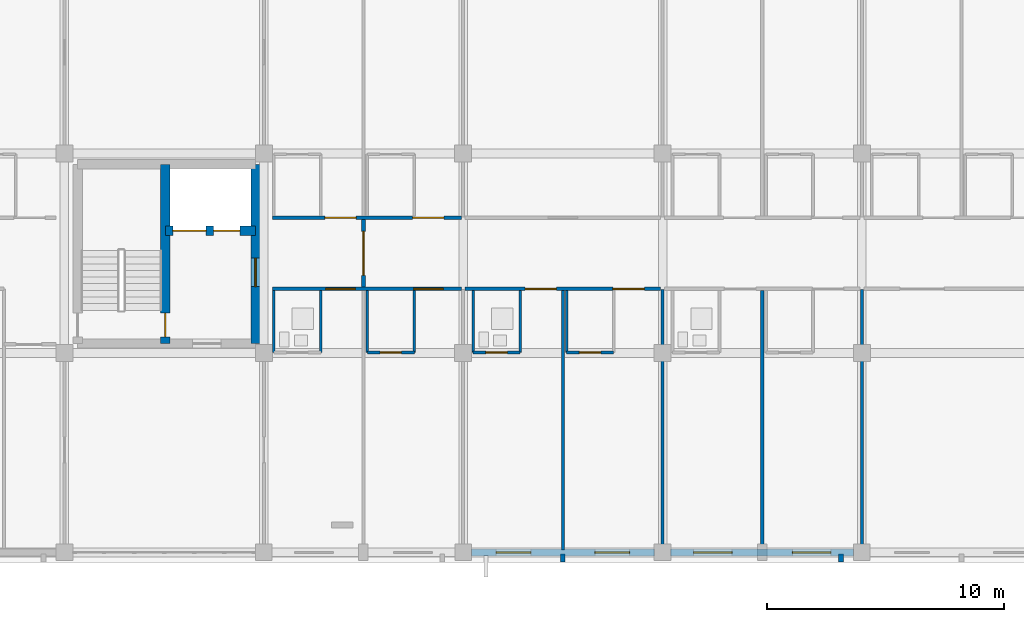
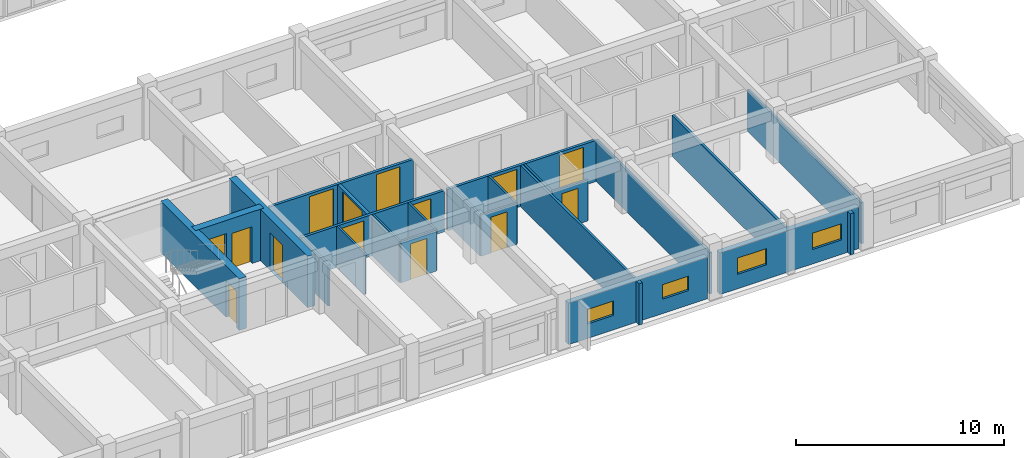
# One storey, part 117 of 148: 25 walls, 14 doors, 4 windows, 18 openings.
"""IFC4 building model written with IfcOpenShell, lengths in metres."""

from ifc_helpers import new_model, si_unit, direction, frame, frame_2d, origin, place, context, subcontext, project, spatial, rectangle, extrude, material, layer, layer_set, type_object, element, fill, save


model = new_model("IFC4")

# Units and contexts
model_context = context("Model", 3, precision=1e-05, world=origin(), true_north=direction((0.0, 1.0)))
body_context = subcontext(model_context, "Body", "Model", "MODEL_VIEW")
ifc_project = project(units=[si_unit("LENGTHUNIT", "METRE"), si_unit("AREAUNIT", "SQUARE_METRE"), si_unit("VOLUMEUNIT", "CUBIC_METRE"), si_unit("PLANEANGLEUNIT", "RADIAN"), si_unit("MASSUNIT", "GRAM", prefix="KILO")], contexts=[model_context])

# Site, building, storey
site_placement = place(None, origin())
site = spatial("IfcSite", under=ifc_project, at=site_placement, CompositionType="ELEMENT")
building_placement = place(site_placement, origin())
building = spatial("IfcBuilding", under=site, at=building_placement, Name="Trelvath General Hospital", CompositionType="ELEMENT")
storey_placement = place(building_placement, frame((0.0, 0.0, 12.89990234375)))
storey = spatial("IfcBuildingStorey", under=building, at=storey_placement, Name="L03", CompositionType="ELEMENT", Elevation=12.89990234375)

# Walls
ifc_material_1 = material(Name="Precast concrete C40/50", Category="concrete")
ifc_layer_1 = layer(ifc_material_1, 0.199951171875)
ifc_layer_set_1 = layer_set([ifc_layer_1], Name="Precast concrete C40/50")
wall_type_1 = type_object("IfcWallType", Name="BriseSoleilRib 200", PredefinedType="ELEMENTEDWALL", material=ifc_layer_set_1)
for number, where, z_axis, x_axis, name in (
    (1, (113.39990234375, -0.074951171875, 0.0), (0.0, 0.0, 1.0), (0.0, -1.0, 0.0), "Precast Concrete Brise-Soleil Rib Fin L03-284"),
    (2, (125.115234375, -0.074951171875, 0.0), (0.0, 0.0, 1.0), (0.0, -1.0, 0.0), "Precast Concrete Brise-Soleil Rib Fin L03-288"),
):
    element("IfcWall", number, at=place(storey_placement, frame(where, z_axis=z_axis, x_axis=x_axis)), inside=storey, type_object=wall_type_1, Name=name, PredefinedType="ELEMENTEDWALL", context=body_context, shape_type="SweptSolid", body=[
        extrude(rectangle(XDim=0.340087890625, YDim=0.199951171875, at=frame_2d((0.169921875, 0.0))), origin(), (0.0, 0.0, 1.0), 2.420166015625),
    ])

# Wall, openings, doors
ifc_material_2 = material(Name="Gypsum acoustic steel-stud partition", Category="steel")
ifc_layer_2 = layer(ifc_material_2, 0.14990234375)
ifc_layer_set_2 = layer_set([ifc_layer_2], Name="Gypsum acoustic steel-stud partition")
wall_type_2 = type_object("IfcWallType", Name="ClinicalPartition 150", PredefinedType="PARTITIONING", material=ifc_layer_set_2)
wall_1_placement = place(storey_placement, frame((101.159912109375, 11.10009765625, 0.0), z_axis=(0.0, 0.0, 1.0), x_axis=(1.0, 0.0, 0.0)))
wall_1 = element("IfcWall", 3, at=wall_1_placement, inside=storey, type_object=wall_type_2, Name="Corridor Partition L03-1171", PredefinedType="PARTITIONING", context=body_context, shape_type="SweptSolid", body=[
    extrude(rectangle(XDim=7.960205078125, YDim=0.14990234375, at=frame_2d((3.97998046875, 0.0))), origin(), (0.0, 0.0, 1.0), 2.420166015625),
])
opening_1_placement = place(wall_1_placement, frame((2.25, 0.0, 0.0)))
opening_1 = element("IfcOpeningElement", 4, at=opening_1_placement, cuts=wall_1, Name="Opening D-3-0873", PredefinedType="OPENING", context=body_context, shape_type="SweptSolid", body=[
    extrude(rectangle(XDim=1.25, YDim=2.199951171875, at=frame_2d((0.625, 1.10009765625))), frame((0.0, 0.0849609375, 0.0), z_axis=(0.0, -1.0, 0.0), x_axis=(1.0, 0.0, 0.0)), (0.0, 0.0, 1.0), 0.169921875),
])
opening_2_placement = place(wall_1_placement, frame((5.949951171875, 0.0, 0.0)))
opening_2 = element("IfcOpeningElement", 5, at=opening_2_placement, cuts=wall_1, Name="Opening D-3-0874", PredefinedType="OPENING", context=body_context, shape_type="SweptSolid", body=[
    extrude(rectangle(XDim=1.25, YDim=2.199951171875, at=frame_2d((0.625, 1.10009765625))), frame((0.0, 0.0849609375, 0.0), z_axis=(0.0, -1.0, 0.0), x_axis=(1.0, 0.0, 0.0)), (0.0, 0.0, 1.0), 0.169921875),
])
ifc_material_3 = material(Name="Acoustic hospital timber leaf", Category="wood")
door_type_1 = type_object("IfcDoorType", Name="Door Treatment 1250x2200", OperationType="NOTDEFINED", PredefinedType="DOOR", material=ifc_material_3)
door_1_placement = place(opening_1_placement, origin())
door_1 = element("IfcDoor", 6, at=door_1_placement, inside=storey, type_object=door_type_1, Name="Patient Room Door L03-873", OperationType="SINGLE_SWING_RIGHT", OverallHeight=2.199951171875, OverallWidth=1.25, PredefinedType="DOOR", context=body_context, shape_type="SweptSolid", body=[
    extrude(rectangle(XDim=1.25, YDim=2.199951171875, at=frame_2d((0.625, 1.10009765625))), frame((0.0, 0.02490234375, 0.0), z_axis=(0.0, -1.0, 0.0), x_axis=(1.0, 0.0, 0.0)), (0.0, 0.0, 1.0), 0.050048828125),
])
fill(opening_1, door_1)
door_2_placement = place(opening_2_placement, origin())
door_2 = element("IfcDoor", 7, at=door_2_placement, inside=storey, type_object=door_type_1, Name="Patient Room Door L03-874", OperationType="SINGLE_SWING_LEFT", OverallHeight=2.199951171875, OverallWidth=1.25, PredefinedType="DOOR", context=body_context, shape_type="SweptSolid", body=[
    extrude(rectangle(XDim=1.25, YDim=2.199951171875, at=frame_2d((0.625, 1.10009765625))), frame((0.0, 0.02490234375, 0.0), z_axis=(0.0, -1.0, 0.0), x_axis=(1.0, 0.0, 0.0)), (0.0, 0.0, 1.0), 0.050048828125),
])
fill(opening_2, door_2)

wall_2_placement = place(storey_placement, frame((109.1201171875, 14.10009765625, 0.0), z_axis=(0.0, 0.0, 1.0), x_axis=(-1.0, 0.0, 0.0)))
wall_2 = element("IfcWall", 8, at=wall_2_placement, inside=storey, type_object=wall_type_2, Name="Corridor Partition N L03-1180", PredefinedType="PARTITIONING", context=body_context, shape_type="SweptSolid", body=[
    extrude(rectangle(XDim=7.960205078125, YDim=0.14990234375, at=frame_2d((3.97998046875, 0.0))), origin(), (0.0, 0.0, 1.0), 2.420166015625),
])
opening_3_placement = place(wall_2_placement, frame((0.72998046875, 0.0, 0.0)))
opening_3 = element("IfcOpeningElement", 9, at=opening_3_placement, cuts=wall_2, Name="Opening D-3-0877", PredefinedType="OPENING", context=body_context, shape_type="SweptSolid", body=[
    extrude(rectangle(XDim=1.320068359375, YDim=2.25, at=frame_2d((0.66015625, 1.125))), frame((0.0, 0.0849609375, 0.0), z_axis=(0.0, -1.0, 0.0), x_axis=(1.0, 0.0, 0.0)), (0.0, 0.0, 1.0), 0.169921875),
])
opening_4_placement = place(wall_2_placement, frame((4.429931640625, 0.0, 0.0)))
opening_4 = element("IfcOpeningElement", 10, at=opening_4_placement, cuts=wall_2, Name="Opening D-3-0878", PredefinedType="OPENING", context=body_context, shape_type="SweptSolid", body=[
    extrude(rectangle(XDim=1.320068359375, YDim=2.25, at=frame_2d((0.66015625, 1.125))), frame((0.0, 0.0849609375, 0.0), z_axis=(0.0, -1.0, 0.0), x_axis=(1.0, 0.0, 0.0)), (0.0, 0.0, 1.0), 0.169921875),
])
ifc_material_4 = material(Name="Maternity bed-leaf timber door", Category="wood")
door_type_2 = type_object("IfcDoorType", Name="Door PatientMaternity 1320x2250", OperationType="NOTDEFINED", PredefinedType="DOOR", material=ifc_material_4)
door_3_placement = place(opening_3_placement, origin())
door_3 = element("IfcDoor", 11, at=door_3_placement, inside=storey, type_object=door_type_2, Name="Patient Room Door N L03-877", OperationType="SINGLE_SWING_RIGHT", OverallHeight=2.25, OverallWidth=1.320068359375, PredefinedType="DOOR", context=body_context, shape_type="SweptSolid", body=[
    extrude(rectangle(XDim=1.320068359375, YDim=2.25, at=frame_2d((0.66015625, 1.125))), frame((0.0, 0.02490234375, 0.0), z_axis=(0.0, -1.0, 0.0), x_axis=(1.0, 0.0, 0.0)), (0.0, 0.0, 1.0), 0.050048828125),
])
fill(opening_3, door_3)
door_4_placement = place(opening_4_placement, origin())
door_4 = element("IfcDoor", 12, at=door_4_placement, inside=storey, type_object=door_type_2, Name="Patient Room Door N L03-878", OperationType="SINGLE_SWING_RIGHT", OverallHeight=2.25, OverallWidth=1.320068359375, PredefinedType="DOOR", context=body_context, shape_type="SweptSolid", body=[
    extrude(rectangle(XDim=1.320068359375, YDim=2.25, at=frame_2d((0.66015625, 1.125))), frame((0.0, 0.02490234375, 0.0), z_axis=(0.0, -1.0, 0.0), x_axis=(1.0, 0.0, 0.0)), (0.0, 0.0, 1.0), 0.050048828125),
])
fill(opening_4, door_4)

wall_3_placement = place(storey_placement, frame((109.280029296875, 11.10009765625, 0.0), z_axis=(0.0, 0.0, 1.0), x_axis=(1.0, 0.0, 0.0)))
wall_3 = element("IfcWall", 13, at=wall_3_placement, inside=storey, type_object=wall_type_2, Name="Corridor Partition L03-1191", PredefinedType="PARTITIONING", context=body_context, shape_type="SweptSolid", body=[
    extrude(rectangle(XDim=8.239990234375, YDim=0.14990234375, at=frame_2d((4.1201171875, 0.0))), origin(), (0.0, 0.0, 1.0), 2.420166015625),
])
opening_5_placement = place(wall_3_placement, frame((2.530029296875, 0.0, 0.0)))
opening_5 = element("IfcOpeningElement", 14, at=opening_5_placement, cuts=wall_3, Name="Opening D-3-0882", PredefinedType="OPENING", context=body_context, shape_type="SweptSolid", body=[
    extrude(rectangle(XDim=1.320068359375, YDim=2.25, at=frame_2d((0.66015625, 1.125))), frame((0.0, 0.0849609375, 0.0), z_axis=(0.0, -1.0, 0.0), x_axis=(1.0, 0.0, 0.0)), (0.0, 0.0, 1.0), 0.169921875),
])
opening_6_placement = place(wall_3_placement, frame((6.22998046875, 0.0, 0.0)))
opening_6 = element("IfcOpeningElement", 15, at=opening_6_placement, cuts=wall_3, Name="Opening D-3-0883", PredefinedType="OPENING", context=body_context, shape_type="SweptSolid", body=[
    extrude(rectangle(XDim=1.320068359375, YDim=2.25, at=frame_2d((0.66015625, 1.125))), frame((0.0, 0.0849609375, 0.0), z_axis=(0.0, -1.0, 0.0), x_axis=(1.0, 0.0, 0.0)), (0.0, 0.0, 1.0), 0.169921875),
])
door_5_placement = place(opening_5_placement, origin())
door_5 = element("IfcDoor", 16, at=door_5_placement, inside=storey, type_object=door_type_2, Name="Patient Room Door L03-882", OperationType="SINGLE_SWING_LEFT", OverallHeight=2.25, OverallWidth=1.320068359375, PredefinedType="DOOR", context=body_context, shape_type="SweptSolid", body=[
    extrude(rectangle(XDim=1.320068359375, YDim=2.25, at=frame_2d((0.66015625, 1.125))), frame((0.0, 0.02490234375, 0.0), z_axis=(0.0, -1.0, 0.0), x_axis=(1.0, 0.0, 0.0)), (0.0, 0.0, 1.0), 0.050048828125),
])
fill(opening_5, door_5)
door_6_placement = place(opening_6_placement, origin())
door_6 = element("IfcDoor", 17, at=door_6_placement, inside=storey, type_object=door_type_2, Name="Patient Room Door L03-883", OperationType="SINGLE_SWING_RIGHT", OverallHeight=2.25, OverallWidth=1.320068359375, PredefinedType="DOOR", context=body_context, shape_type="SweptSolid", body=[
    extrude(rectangle(XDim=1.320068359375, YDim=2.25, at=frame_2d((0.66015625, 1.125))), frame((0.0, 0.02490234375, 0.0), z_axis=(0.0, -1.0, 0.0), x_axis=(1.0, 0.0, 0.0)), (0.0, 0.0, 1.0), 0.050048828125),
])
fill(opening_6, door_6)

# Wall, opening, door
ifc_material_5 = material(Name="Concrete C40/50", Category="concrete")
ifc_layer_3 = layer(ifc_material_5, 0.39990234375)
ifc_layer_set_3 = layer_set([ifc_layer_3], Name="Concrete C40/50")
wall_type_3 = type_object("IfcWallType", Name="CoreShearWall 400", PredefinedType="SHEAR", material=ifc_layer_set_3)
wall_4_placement = place(storey_placement, frame((100.449951171875, 8.800048828125, 0.0), z_axis=(0.0, 0.0, 1.0), x_axis=(0.0, 1.0, 0.0)))
wall_4 = element("IfcWall", 18, at=wall_4_placement, inside=storey, type_object=wall_type_3, Name="Core Shear Wall C5 E L03", PredefinedType="SHEAR", context=body_context, shape_type="SweptSolid", body=[
    extrude(rectangle(XDim=7.550048828125, YDim=0.39990234375, at=frame_2d((3.77490234375, 0.0))), origin(), (0.0, 0.0, 1.0), 3.02001953125),
])
opening_7_placement = place(wall_4_placement, frame((2.39990234375, 0.0, 0.0)))
opening_7 = element("IfcOpeningElement", 19, at=opening_7_placement, cuts=wall_4, Name="Opening FD-LE53", PredefinedType="OPENING", context=body_context, shape_type="SweptSolid", body=[
    extrude(rectangle(XDim=1.199951171875, YDim=2.199951171875, at=frame_2d((0.60009765625, 1.10009765625))), frame((0.0, 0.2099609375, 0.0), z_axis=(0.0, -1.0, 0.0), x_axis=(1.0, 0.0, 0.0)), (0.0, 0.0, 1.0), 0.419921875),
])
ifc_material_6 = material(Name="Fire-rated steel door", Category="steel")
door_type_3 = type_object("IfcDoorType", Name="Door FireLobby 1200x2200", OperationType="NOTDEFINED", PredefinedType="DOOR", material=ifc_material_6)
door_7_placement = place(opening_7_placement, origin())
door_7 = element("IfcDoor", 20, at=door_7_placement, inside=storey, type_object=door_type_3, Name="Fire Lobby East Corridor Door C5 L03", OperationType="SINGLE_SWING_RIGHT", OverallHeight=2.199951171875, OverallWidth=1.199951171875, PredefinedType="DOOR", context=body_context, shape_type="SweptSolid", body=[
    extrude(rectangle(XDim=1.199951171875, YDim=2.199951171875, at=frame_2d((0.60009765625, 1.10009765625))), frame((0.0, 0.02490234375, 0.0), z_axis=(0.0, -1.0, 0.0), x_axis=(1.0, 0.0, 0.0)), (0.0, 0.0, 1.0), 0.050048828125),
])
fill(opening_7, door_7)

wall_5_placement = place(storey_placement, frame((96.64990234375, 8.800048828125, 0.0), z_axis=(0.0, 0.0, 1.0), x_axis=(0.0, 1.0, 0.0)))
wall_5 = element("IfcWall", 21, at=wall_5_placement, inside=storey, type_object=wall_type_3, Name="Core Shear Wall C5 SPINE L03", PredefinedType="SHEAR", context=body_context, shape_type="SweptSolid", body=[
    extrude(rectangle(XDim=7.550048828125, YDim=0.39990234375, at=frame_2d((3.77490234375, 0.0))), origin(), (0.0, 0.0, 1.0), 3.02001953125),
])
opening_8_placement = place(wall_5_placement, frame((0.280029296875, 0.0, 0.0)))
opening_8 = element("IfcOpeningElement", 22, at=opening_8_placement, cuts=wall_5, Name="Opening FD-S53", PredefinedType="OPENING", context=body_context, shape_type="SweptSolid", body=[
    extrude(rectangle(XDim=1.0, YDim=2.14990234375, at=frame_2d((0.5, 1.074951171875))), frame((0.0, 0.2099609375, 0.0), z_axis=(0.0, -1.0, 0.0), x_axis=(1.0, 0.0, 0.0)), (0.0, 0.0, 1.0), 0.419921875),
])
ifc_material_7 = material(Name="Fire-rated steel door", Category="steel")
door_type_4 = type_object("IfcDoorType", Name="Door FireStair 1100x2150", OperationType="NOTDEFINED", PredefinedType="DOOR", material=ifc_material_7)
door_8_placement = place(opening_8_placement, origin())
door_8 = element("IfcDoor", 23, at=door_8_placement, inside=storey, type_object=door_type_4, Name="Exit Stair Door ST5 L03", OperationType="SINGLE_SWING_LEFT", OverallHeight=2.14990234375, OverallWidth=1.0, PredefinedType="DOOR", context=body_context, shape_type="SweptSolid", body=[
    extrude(rectangle(XDim=1.0, YDim=2.14990234375, at=frame_2d((0.5, 1.074951171875))), frame((0.0, 0.02490234375, 0.0), z_axis=(0.0, -1.0, 0.0), x_axis=(1.0, 0.0, 0.0)), (0.0, 0.0, 1.0), 0.050048828125),
])
fill(opening_8, door_8)

# Wall, openings, doors
wall_6_placement = place(storey_placement, frame((96.64990234375, 13.550048828125, 0.0), z_axis=(0.0, 0.0, 1.0), x_axis=(1.0, 0.0, 0.0)))
wall_6 = element("IfcWall", 24, at=wall_6_placement, inside=storey, type_object=wall_type_3, Name="Core Shear Wall C5 SHAFT L03", PredefinedType="SHEAR", context=body_context, shape_type="SweptSolid", body=[
    extrude(rectangle(XDim=3.800048828125, YDim=0.39990234375, at=frame_2d((1.89990234375, 0.0))), origin(), (0.0, 0.0, 1.0), 3.02001953125),
])
opening_9_placement = place(wall_6_placement, frame((0.320068359375, 0.0, 0.0)))
opening_9 = element("IfcOpeningElement", 25, at=opening_9_placement, cuts=wall_6, Name="Opening LD-BD4-3", PredefinedType="OPENING", context=body_context, shape_type="SweptSolid", body=[
    extrude(rectangle(XDim=1.39990234375, YDim=2.25, at=frame_2d((0.699951171875, 1.125))), frame((0.0, 0.2099609375, 0.0), z_axis=(0.0, -1.0, 0.0), x_axis=(1.0, 0.0, 0.0)), (0.0, 0.0, 1.0), 0.419921875),
])
opening_10_placement = place(wall_6_placement, frame((2.0400390625, 0.0, 0.0)))
opening_10 = element("IfcOpeningElement", 26, at=opening_10_placement, cuts=wall_6, Name="Opening LD-PA2-3", PredefinedType="OPENING", context=body_context, shape_type="SweptSolid", body=[
    extrude(rectangle(XDim=1.10009765625, YDim=2.14990234375, at=frame_2d((0.550048828125, 1.074951171875))), frame((0.0, 0.2099609375, 0.0), z_axis=(0.0, -1.0, 0.0), x_axis=(1.0, 0.0, 0.0)), (0.0, 0.0, 1.0), 0.419921875),
])
ifc_material_8 = material(Name="Stainless steel stretcher lift landing door", Category="steel")
door_type_5 = type_object("IfcDoorType", Name="Door LiftBed 1400x2250", OperationType="SLIDING_TO_LEFT", PredefinedType="DOOR", material=ifc_material_8)
door_9_placement = place(opening_9_placement, origin())
door_9 = element("IfcDoor", 27, at=door_9_placement, inside=storey, type_object=door_type_5, Name="Lift Landing Sliding Door LF-BD4 L03", OperationType="SLIDING_TO_LEFT", OverallHeight=2.25, OverallWidth=1.39990234375, PredefinedType="DOOR", context=body_context, shape_type="SweptSolid", body=[
    extrude(rectangle(XDim=1.39990234375, YDim=2.25, at=frame_2d((0.699951171875, 1.125))), frame((0.0, 0.02490234375, 0.0), z_axis=(0.0, -1.0, 0.0), x_axis=(1.0, 0.0, 0.0)), (0.0, 0.0, 1.0), 0.050048828125),
])
fill(opening_9, door_9)
ifc_material_9 = material(Name="Stainless steel lift landing sliding door", Category="steel")
door_type_6 = type_object("IfcDoorType", Name="Door LiftLanding 1100x2150", OperationType="SLIDING_TO_LEFT", PredefinedType="DOOR", material=ifc_material_9)
door_10_placement = place(opening_10_placement, origin())
door_10 = element("IfcDoor", 28, at=door_10_placement, inside=storey, type_object=door_type_6, Name="Lift Landing Sliding Door LF-PA2 L03", OperationType="SLIDING_TO_LEFT", OverallHeight=2.14990234375, OverallWidth=1.10009765625, PredefinedType="DOOR", context=body_context, shape_type="SweptSolid", body=[
    extrude(rectangle(XDim=1.10009765625, YDim=2.14990234375, at=frame_2d((0.550048828125, 1.074951171875))), frame((0.0, 0.02490234375, 0.0), z_axis=(0.0, -1.0, 0.0), x_axis=(1.0, 0.0, 0.0)), (0.0, 0.0, 1.0), 0.050048828125),
])
fill(opening_10, door_10)

# Walls
ifc_material_10 = material(Name="Moisture-resistant tile partition")
ifc_layer_4 = layer(ifc_material_10, 0.110107421875)
ifc_layer_set_4 = layer_set([ifc_layer_4], Name="Moisture-resistant tile partition")
wall_type_4 = type_object("IfcWallType", Name="EnSuiteWetWall 110", PredefinedType="PARTITIONING", material=ifc_layer_set_4)
for number, where, z_axis, x_axis, name in (
    (29, (101.219970703125, 8.419921875, 0.0), (0.0, 0.0, 1.0), (0.0, 1.0, 0.0), "En-Suite W Wall L03-1173"),
    (30, (103.199951171875, 8.419921875, 0.0), (0.0, 0.0, 1.0), (0.0, 1.0, 0.0), "En-Suite E Wall L03-1174"),
    (31, (105.159912109375, 8.419921875, 0.0), (0.0, 0.0, 1.0), (0.0, 1.0, 0.0), "En-Suite W Wall L03-1176"),
    (32, (107.139892578125, 8.419921875, 0.0), (0.0, 0.0, 1.0), (0.0, 1.0, 0.0), "En-Suite E Wall L03-1177"),
):
    element("IfcWall", number, at=place(storey_placement, frame(where, z_axis=z_axis, x_axis=x_axis)), inside=storey, type_object=wall_type_4, Name=name, PredefinedType="PARTITIONING", context=body_context, shape_type="SweptSolid", body=[
        extrude(rectangle(XDim=2.610107421875, YDim=0.110107421875, at=frame_2d((1.30517578125, 0.0))), origin(), (0.0, 0.0, 1.0), 2.420166015625),
    ])

# Wall, opening, door
wall_7_placement = place(storey_placement, frame((105.159912109375, 8.419921875, 0.0), z_axis=(0.0, 0.0, 1.0), x_axis=(1.0, 0.0, 0.0)))
wall_7 = element("IfcWall", 33, at=wall_7_placement, inside=storey, type_object=wall_type_4, Name="En-Suite Bathroom Partition L03-1178", PredefinedType="PARTITIONING", context=body_context, shape_type="SweptSolid", body=[
    extrude(rectangle(XDim=1.97998046875, YDim=0.110107421875, at=frame_2d((0.989990234375, 0.0))), origin(), (0.0, 0.0, 1.0), 2.420166015625),
])
opening_11_placement = place(wall_7_placement, frame((0.5400390625, 0.0, 0.0)))
opening_11 = element("IfcOpeningElement", 34, at=opening_11_placement, cuts=wall_7, Name="Opening D-3-0876", PredefinedType="OPENING", context=body_context, shape_type="SweptSolid", body=[
    extrude(rectangle(XDim=0.89990234375, YDim=2.10009765625, at=frame_2d((0.449951171875, 1.050048828125))), frame((0.0, 0.06494140625, 0.0), z_axis=(0.0, -1.0, 0.0), x_axis=(1.0, 0.0, 0.0)), (0.0, 0.0, 1.0), 0.130126953125),
])
ifc_material_11 = material(Name="Moisture-sealed timber leaf", Category="wood")
door_type_7 = type_object("IfcDoorType", Name="Door EnSuite 900x2100", OperationType="NOTDEFINED", PredefinedType="DOOR", material=ifc_material_11)
door_11_placement = place(opening_11_placement, origin())
door_11 = element("IfcDoor", 35, at=door_11_placement, inside=storey, type_object=door_type_7, Name="En-Suite Bathroom Door L03-876", OperationType="SINGLE_SWING_LEFT", OverallHeight=2.10009765625, OverallWidth=0.89990234375, PredefinedType="DOOR", context=body_context, shape_type="SweptSolid", body=[
    extrude(rectangle(XDim=0.89990234375, YDim=2.10009765625, at=frame_2d((0.449951171875, 1.050048828125))), frame((0.0, 0.02490234375, 0.0), z_axis=(0.0, -1.0, 0.0), x_axis=(1.0, 0.0, 0.0)), (0.0, 0.0, 1.0), 0.050048828125),
])
fill(opening_11, door_11)

# Walls
for number, where, z_axis, x_axis, name in (
    (36, (109.6201171875, 8.419921875, 0.0), (0.0, 0.0, 1.0), (0.0, 1.0, 0.0), "En-Suite W Wall L03-1193"),
    (37, (111.60009765625, 8.419921875, 0.0), (0.0, 0.0, 1.0), (0.0, 1.0, 0.0), "En-Suite E Wall L03-1194"),
):
    element("IfcWall", number, at=place(storey_placement, frame(where, z_axis=z_axis, x_axis=x_axis)), inside=storey, type_object=wall_type_4, Name=name, PredefinedType="PARTITIONING", context=body_context, shape_type="SweptSolid", body=[
        extrude(rectangle(XDim=2.610107421875, YDim=0.110107421875, at=frame_2d((1.30517578125, 0.0))), origin(), (0.0, 0.0, 1.0), 2.420166015625),
    ])

# Wall, opening, door
wall_8_placement = place(storey_placement, frame((109.6201171875, 8.419921875, 0.0), z_axis=(0.0, 0.0, 1.0), x_axis=(1.0, 0.0, 0.0)))
wall_8 = element("IfcWall", 38, at=wall_8_placement, inside=storey, type_object=wall_type_4, Name="En-Suite Bathroom Partition L03-1195", PredefinedType="PARTITIONING", context=body_context, shape_type="SweptSolid", body=[
    extrude(rectangle(XDim=1.97998046875, YDim=0.110107421875, at=frame_2d((0.989990234375, 0.0))), origin(), (0.0, 0.0, 1.0), 2.420166015625),
])
opening_12_placement = place(wall_8_placement, frame((0.5400390625, 0.0, 0.0)))
opening_12 = element("IfcOpeningElement", 39, at=opening_12_placement, cuts=wall_8, Name="Opening D-3-0884", PredefinedType="OPENING", context=body_context, shape_type="SweptSolid", body=[
    extrude(rectangle(XDim=0.89990234375, YDim=2.10009765625, at=frame_2d((0.449951171875, 1.050048828125))), frame((0.0, 0.06494140625, 0.0), z_axis=(0.0, -1.0, 0.0), x_axis=(1.0, 0.0, 0.0)), (0.0, 0.0, 1.0), 0.130126953125),
])
door_12_placement = place(opening_12_placement, origin())
door_12 = element("IfcDoor", 40, at=door_12_placement, inside=storey, type_object=door_type_7, Name="En-Suite Bathroom Door L03-884", OperationType="SINGLE_SWING_LEFT", OverallHeight=2.10009765625, OverallWidth=0.89990234375, PredefinedType="DOOR", context=body_context, shape_type="SweptSolid", body=[
    extrude(rectangle(XDim=0.89990234375, YDim=2.10009765625, at=frame_2d((0.449951171875, 1.050048828125))), frame((0.0, 0.02490234375, 0.0), z_axis=(0.0, -1.0, 0.0), x_axis=(1.0, 0.0, 0.0)), (0.0, 0.0, 1.0), 0.050048828125),
])
fill(opening_12, door_12)

# Wall
wall_9_placement = place(storey_placement, frame((113.56005859375, 8.419921875, 0.0), z_axis=(0.0, 0.0, 1.0), x_axis=(0.0, 1.0, 0.0)))
element("IfcWall", 41, at=wall_9_placement, inside=storey, type_object=wall_type_4, Name="En-Suite W Wall L03-1196", PredefinedType="PARTITIONING", context=body_context, shape_type="SweptSolid", body=[
    extrude(rectangle(XDim=2.610107421875, YDim=0.110107421875, at=frame_2d((1.30517578125, 0.0))), origin(), (0.0, 0.0, 1.0), 2.420166015625),
])

# Wall, opening, door
wall_10_placement = place(storey_placement, frame((113.56005859375, 8.419921875, 0.0), z_axis=(0.0, 0.0, 1.0), x_axis=(1.0, 0.0, 0.0)))
wall_10 = element("IfcWall", 42, at=wall_10_placement, inside=storey, type_object=wall_type_4, Name="En-Suite Bathroom Partition L03-1198", PredefinedType="PARTITIONING", context=body_context, shape_type="SweptSolid", body=[
    extrude(rectangle(XDim=1.97998046875, YDim=0.110107421875, at=frame_2d((0.989990234375, 0.0))), origin(), (0.0, 0.0, 1.0), 2.420166015625),
])
opening_13_placement = place(wall_10_placement, frame((0.5400390625, 0.0, 0.0)))
opening_13 = element("IfcOpeningElement", 43, at=opening_13_placement, cuts=wall_10, Name="Opening D-3-0885", PredefinedType="OPENING", context=body_context, shape_type="SweptSolid", body=[
    extrude(rectangle(XDim=0.89990234375, YDim=2.10009765625, at=frame_2d((0.449951171875, 1.050048828125))), frame((0.0, 0.06494140625, 0.0), z_axis=(0.0, -1.0, 0.0), x_axis=(1.0, 0.0, 0.0)), (0.0, 0.0, 1.0), 0.130126953125),
])
door_13_placement = place(opening_13_placement, origin())
door_13 = element("IfcDoor", 44, at=door_13_placement, inside=storey, type_object=door_type_7, Name="En-Suite Bathroom Door L03-885", OperationType="SINGLE_SWING_RIGHT", OverallHeight=2.10009765625, OverallWidth=0.89990234375, PredefinedType="DOOR", context=body_context, shape_type="SweptSolid", body=[
    extrude(rectangle(XDim=0.89990234375, YDim=2.10009765625, at=frame_2d((0.449951171875, 1.050048828125))), frame((0.0, 0.02490234375, 0.0), z_axis=(0.0, -1.0, 0.0), x_axis=(1.0, 0.0, 0.0)), (0.0, 0.0, 1.0), 0.050048828125),
])
fill(opening_13, door_13)

# Wall, openings, windows
ifc_material_12 = material(Name="Concrete C35/45", Category="concrete")
ifc_layer_5 = layer(ifc_material_12, 0.2900390625)
ifc_layer_set_5 = layer_set([ifc_layer_5], Name="Concrete C35/45")
wall_type_5 = type_object("IfcWallType", Name="ExtBushHammeredWall 290", PredefinedType="SOLIDWALL", material=ifc_layer_set_5)
wall_11_placement = place(storey_placement, frame((117.2548828125, 0.0, 0.0), z_axis=(0.0, 0.0, 1.0), x_axis=(-1.0, 0.0, 0.0)))
wall_11 = element("IfcWall", 45, at=wall_11_placement, inside=storey, type_object=wall_type_5, Name="Exterior Concrete Wall L03-402", PredefinedType="SOLIDWALL", context=body_context, shape_type="SweptSolid", body=[
    extrude(rectangle(XDim=7.7099609375, YDim=0.2900390625, at=frame_2d((3.85498046875, 0.0))), origin(), (0.0, 0.0, 1.0), 2.440185546875),
])
opening_14_placement = place(wall_11_placement, frame((1.043212890625, 0.0, 0.85009765625)))
opening_14 = element("IfcOpeningElement", 46, at=opening_14_placement, cuts=wall_11, Name="Opening WN-3-653", PredefinedType="OPENING", context=body_context, shape_type="SweptSolid", body=[
    extrude(rectangle(XDim=1.4599609375, YDim=0.85009765625, at=frame_2d((0.72998046875, 0.425048828125))), frame((0.0, 0.155029296875, 0.0), z_axis=(0.0, -1.0, 0.0), x_axis=(1.0, 0.0, 0.0)), (0.0, 0.0, 1.0), 0.31005859375),
])
opening_15_placement = place(wall_11_placement, frame((5.206787109375, 0.0, 0.85009765625)))
opening_15 = element("IfcOpeningElement", 47, at=opening_15_placement, cuts=wall_11, Name="Opening WN-3-654", PredefinedType="OPENING", context=body_context, shape_type="SweptSolid", body=[
    extrude(rectangle(XDim=1.4599609375, YDim=0.85009765625, at=frame_2d((0.72998046875, 0.425048828125))), frame((0.0, 0.155029296875, 0.0), z_axis=(0.0, -1.0, 0.0), x_axis=(1.0, 0.0, 0.0)), (0.0, 0.0, 1.0), 0.31005859375),
])
ifc_material_13 = material(Name="Low-E laminated glass", Category="glass")
window_type_1 = type_object("IfcWindowType", Name="Window ImagingClere 1460x850", PartitioningType="DOUBLE_PANEL_VERTICAL", PredefinedType="WINDOW", material=ifc_material_13)
window_1_placement = place(opening_14_placement, origin())
window_1 = element("IfcWindow", 48, at=window_1_placement, inside=storey, type_object=window_type_1, Name="Solar Reveal Window L03-653", OverallHeight=0.85009765625, OverallWidth=1.4599609375, PartitioningType="SINGLE_PANEL", PredefinedType="WINDOW", context=body_context, shape_type="SweptSolid", body=[
    extrude(rectangle(XDim=1.4599609375, YDim=0.85009765625, at=frame_2d((0.72998046875, 0.425048828125))), frame((0.0, 0.030029296875, 0.0), z_axis=(0.0, -1.0, 0.0), x_axis=(1.0, 0.0, 0.0)), (0.0, 0.0, 1.0), 0.06005859375),
])
fill(opening_14, window_1)
window_2_placement = place(opening_15_placement, origin())
window_2 = element("IfcWindow", 49, at=window_2_placement, inside=storey, type_object=window_type_1, Name="Solar Reveal Window L03-654", OverallHeight=0.85009765625, OverallWidth=1.4599609375, PartitioningType="SINGLE_PANEL", PredefinedType="WINDOW", context=body_context, shape_type="SweptSolid", body=[
    extrude(rectangle(XDim=1.4599609375, YDim=0.85009765625, at=frame_2d((0.72998046875, 0.425048828125))), frame((0.0, 0.030029296875, 0.0), z_axis=(0.0, -1.0, 0.0), x_axis=(1.0, 0.0, 0.0)), (0.0, 0.0, 1.0), 0.06005859375),
])
fill(opening_15, window_2)

wall_12_placement = place(storey_placement, frame((125.655029296875, 0.0, 0.0), z_axis=(0.0, 0.0, 1.0), x_axis=(-1.0, 0.0, 0.0)))
wall_12 = element("IfcWall", 50, at=wall_12_placement, inside=storey, type_object=wall_type_5, Name="Exterior Concrete Wall L03-406", PredefinedType="SOLIDWALL", context=body_context, shape_type="SweptSolid", body=[
    extrude(rectangle(XDim=7.7099609375, YDim=0.2900390625, at=frame_2d((3.85498046875, 0.0))), origin(), (0.0, 0.0, 1.0), 2.440185546875),
])
opening_16_placement = place(wall_12_placement, frame((0.96337890625, 0.0, 0.85009765625)))
opening_16 = element("IfcOpeningElement", 51, at=opening_16_placement, cuts=wall_12, Name="Opening WN-3-661", PredefinedType="OPENING", context=body_context, shape_type="SweptSolid", body=[
    extrude(rectangle(XDim=1.6201171875, YDim=0.949951171875, at=frame_2d((0.81005859375, 0.47509765625))), frame((0.0, 0.155029296875, 0.0), z_axis=(0.0, -1.0, 0.0), x_axis=(1.0, 0.0, 0.0)), (0.0, 0.0, 1.0), 0.31005859375),
])
opening_17_placement = place(wall_12_placement, frame((5.126708984375, 0.0, 0.85009765625)))
opening_17 = element("IfcOpeningElement", 52, at=opening_17_placement, cuts=wall_12, Name="Opening WN-3-662", PredefinedType="OPENING", context=body_context, shape_type="SweptSolid", body=[
    extrude(rectangle(XDim=1.6201171875, YDim=0.949951171875, at=frame_2d((0.81005859375, 0.47509765625))), frame((0.0, 0.155029296875, 0.0), z_axis=(0.0, -1.0, 0.0), x_axis=(1.0, 0.0, 0.0)), (0.0, 0.0, 1.0), 0.31005859375),
])
ifc_material_14 = material(Name="Low-E laminated glass", Category="glass")
window_type_2 = type_object("IfcWindowType", Name="Window EmergencyClere 1620x950", PartitioningType="DOUBLE_PANEL_VERTICAL", PredefinedType="WINDOW", material=ifc_material_14)
window_3_placement = place(opening_16_placement, origin())
window_3 = element("IfcWindow", 53, at=window_3_placement, inside=storey, type_object=window_type_2, Name="Solar Reveal Window L03-661", OverallHeight=0.949951171875, OverallWidth=1.6201171875, PartitioningType="SINGLE_PANEL", PredefinedType="WINDOW", context=body_context, shape_type="SweptSolid", body=[
    extrude(rectangle(XDim=1.6201171875, YDim=0.949951171875, at=frame_2d((0.81005859375, 0.47509765625))), frame((0.0, 0.030029296875, 0.0), z_axis=(0.0, -1.0, 0.0), x_axis=(1.0, 0.0, 0.0)), (0.0, 0.0, 1.0), 0.06005859375),
])
fill(opening_16, window_3)
window_4_placement = place(opening_17_placement, origin())
window_4 = element("IfcWindow", 54, at=window_4_placement, inside=storey, type_object=window_type_2, Name="Solar Reveal Window L03-662", OverallHeight=0.949951171875, OverallWidth=1.6201171875, PartitioningType="SINGLE_PANEL", PredefinedType="WINDOW", context=body_context, shape_type="SweptSolid", body=[
    extrude(rectangle(XDim=1.6201171875, YDim=0.949951171875, at=frame_2d((0.81005859375, 0.47509765625))), frame((0.0, 0.030029296875, 0.0), z_axis=(0.0, -1.0, 0.0), x_axis=(1.0, 0.0, 0.0)), (0.0, 0.0, 1.0), 0.06005859375),
])
fill(opening_17, window_4)

# Wall, opening, door
ifc_material_15 = material(Name="Masonry fire blockwork", Category="masonry")
ifc_layer_6 = layer(ifc_material_15, 0.179931640625)
ifc_layer_set_6 = layer_set([ifc_layer_6], Name="Masonry fire blockwork")
wall_type_6 = type_object("IfcWallType", Name="SmokeBarrierWall 180", PredefinedType="PARTITIONING", material=ifc_layer_set_6)
wall_13_placement = place(storey_placement, frame((105.0, 11.179931640625, 0.0), z_axis=(0.0, 0.0, 1.0), x_axis=(0.0, 1.0, 0.0)))
wall_13 = element("IfcWall", 55, at=wall_13_placement, inside=storey, type_object=wall_type_6, Name="Smoke Compartment Barrier L03-1188", PredefinedType="PARTITIONING", context=body_context, shape_type="SweptSolid", body=[
    extrude(rectangle(XDim=2.840087890625, YDim=0.179931640625, at=frame_2d((1.419921875, 0.0))), origin(), (0.0, 0.0, 1.0), 2.420166015625),
])
opening_18_placement = place(wall_13_placement, frame((0.4951171875, 0.0, 0.0)))
opening_18 = element("IfcOpeningElement", 56, at=opening_18_placement, cuts=wall_13, Name="Opening SD-3-0881", PredefinedType="OPENING", context=body_context, shape_type="SweptSolid", body=[
    extrude(rectangle(XDim=1.85009765625, YDim=2.300048828125, at=frame_2d((0.925048828125, 1.14990234375))), frame((0.0, 0.099853515625, 0.0), z_axis=(0.0, -1.0, 0.0), x_axis=(1.0, 0.0, 0.0)), (0.0, 0.0, 1.0), 0.199951171875),
])
ifc_material_16 = material(Name="Fire-rated steel cross-corridor pair", Category="steel")
door_type_8 = type_object("IfcDoorType", Name="Door SmokeCross 1850x2300", OperationType="DOUBLE_SWING_LEFT", PredefinedType="DOOR", material=ifc_material_16)
door_14_placement = place(opening_18_placement, origin())
door_14 = element("IfcDoor", 57, at=door_14_placement, inside=storey, type_object=door_type_8, Name="Cross-Corridor Smoke Door L03-881", OperationType="SLIDING_TO_LEFT", OverallHeight=2.300048828125, OverallWidth=1.85009765625, PredefinedType="DOOR", context=body_context, shape_type="SweptSolid", body=[
    extrude(rectangle(XDim=1.85009765625, YDim=2.300048828125, at=frame_2d((0.925048828125, 1.14990234375))), frame((0.0, 0.02490234375, 0.0), z_axis=(0.0, -1.0, 0.0), x_axis=(1.0, 0.0, 0.0)), (0.0, 0.0, 1.0), 0.050048828125),
])
fill(opening_18, door_14)

# Walls
ifc_material_17 = material(Name="Gypsum acoustic steel-stud partition", Category="steel")
ifc_layer_7 = layer(ifc_material_17, 0.1298828125)
ifc_layer_set_7 = layer_set([ifc_layer_7], Name="Gypsum acoustic steel-stud partition")
wall_type_7 = type_object("IfcWallType", Name="WardPartition 130", PredefinedType="PARTITIONING", material=ifc_layer_set_7)
wall_14_placement = place(storey_placement, frame((113.39990234375, 0.10009765625, 0.0), z_axis=(0.0, 0.0, 1.0), x_axis=(0.0, 1.0, 0.0)))
element("IfcWall", 58, at=wall_14_placement, inside=storey, type_object=wall_type_7, Name="Room Dividing Partition S L03-1192", PredefinedType="PARTITIONING", context=body_context, shape_type="SweptSolid", body=[
    extrude(rectangle(XDim=10.929931640625, YDim=0.1298828125, at=frame_2d((5.46484375, 0.0))), origin(), (0.0, 0.0, 1.0), 2.420166015625),
])
wall_15_placement = place(storey_placement, frame((117.60009765625, 0.139892578125, 0.0), z_axis=(0.0, 0.0, 1.0), x_axis=(0.0, 1.0, 0.0)))
element("IfcWall", 59, at=wall_15_placement, inside=storey, type_object=wall_type_7, Name="Inter-Bay Ward Partition S L03-1200", PredefinedType="PARTITIONING", context=body_context, shape_type="SweptSolid", body=[
    extrude(rectangle(XDim=10.940185546875, YDim=0.1298828125, at=frame_2d((5.47021484375, 0.0))), origin(), (0.0, 0.0, 1.0), 2.420166015625),
])
wall_16_placement = place(storey_placement, frame((121.800048828125, 0.10009765625, 0.0), z_axis=(0.0, 0.0, 1.0), x_axis=(0.0, 1.0, 0.0)))
element("IfcWall", 60, at=wall_16_placement, inside=storey, type_object=wall_type_7, Name="Room Dividing Partition S L03-1203", PredefinedType="PARTITIONING", context=body_context, shape_type="SweptSolid", body=[
    extrude(rectangle(XDim=10.929931640625, YDim=0.1298828125, at=frame_2d((5.46484375, 0.0))), origin(), (0.0, 0.0, 1.0), 2.420166015625),
])
wall_17_placement = place(storey_placement, frame((126.0, 0.139892578125, 0.0), z_axis=(0.0, 0.0, 1.0), x_axis=(0.0, 1.0, 0.0)))
element("IfcWall", 61, at=wall_17_placement, inside=storey, type_object=wall_type_7, Name="Inter-Bay Ward Partition S L03-1218", PredefinedType="PARTITIONING", context=body_context, shape_type="SweptSolid", body=[
    extrude(rectangle(XDim=10.940185546875, YDim=0.1298828125, at=frame_2d((5.47021484375, 0.0))), origin(), (0.0, 0.0, 1.0), 2.420166015625),
])

save(model, "model.ifc")
